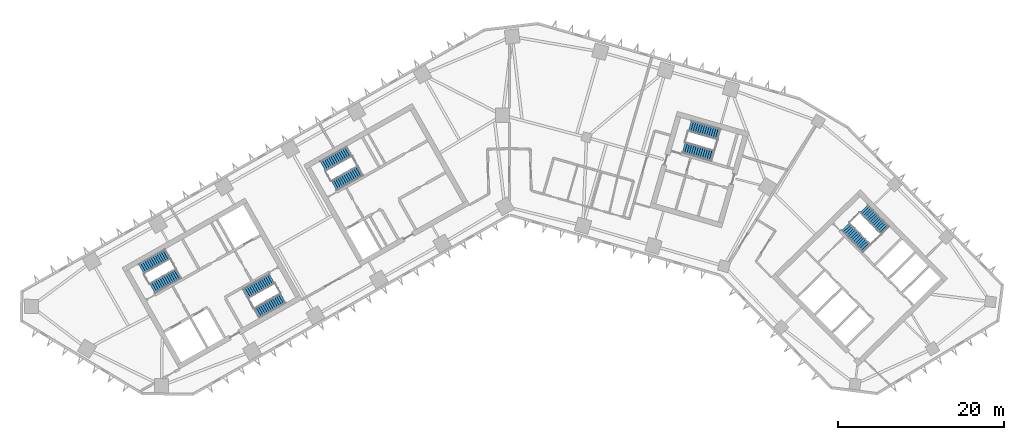
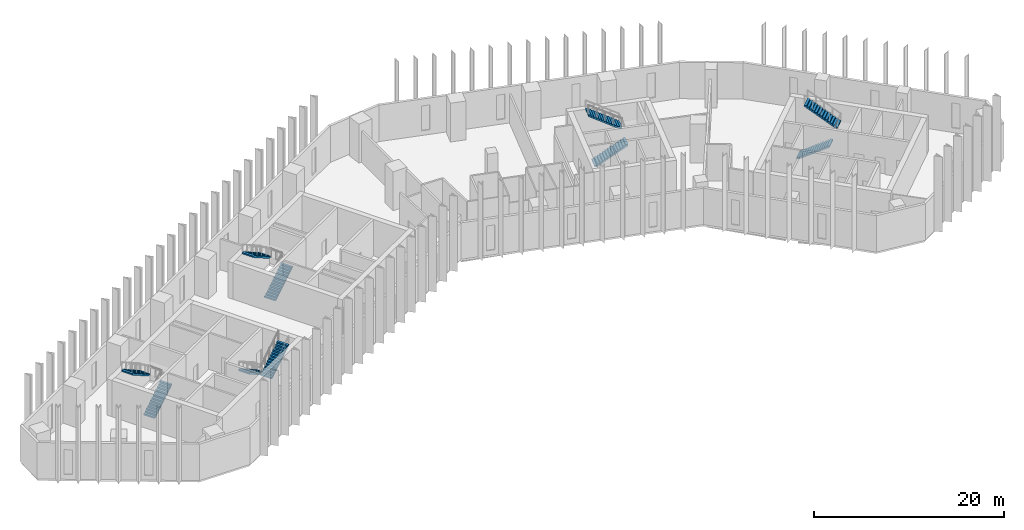
# One storey, part 8 of 11: 10 stair flights, 5 elements without a shape of their own.
"""IFC4 building model written with IfcOpenShell, lengths in metres."""

from ifc_helpers import new_model, si_unit, direction, frame, origin, place, context, subcontext, project, spatial, polyline, outline, extrude, material, type_object, element, aggregate, save


model = new_model("IFC4")

# Units and contexts
model_context = context("Model", 3, precision=1e-05, world=origin(), true_north=direction((0.0, 1.0)))
body_context = subcontext(model_context, "Body", "Model", "MODEL_VIEW")
ifc_project = project(units=[si_unit("LENGTHUNIT", "METRE"), si_unit("AREAUNIT", "SQUARE_METRE"), si_unit("VOLUMEUNIT", "CUBIC_METRE"), si_unit("PLANEANGLEUNIT", "RADIAN"), si_unit("MASSUNIT", "GRAM", prefix="KILO")], contexts=[model_context])

# Site, building, storey
site_placement = place(None, origin())
site = spatial("IfcSite", under=ifc_project, at=site_placement, CompositionType="ELEMENT")
building_placement = place(site_placement, origin())
building = spatial("IfcBuilding", under=site, at=building_placement, Name="Binnacle Exchange Tower", CompositionType="ELEMENT")
storey_placement = place(building_placement, frame((0.0, 0.0, 36.5)))
storey = spatial("IfcBuildingStorey", under=building, at=storey_placement, Name="L07", CompositionType="ELEMENT", Elevation=36.5)

# Stair, stair flights
ifc_material = material(Name="Concrete C35/45", Category="concrete")
stair_type = type_object("IfcStairType", Name="STAIR 28 RISERS 179", PredefinedType="HALF_TURN_STAIR", material=ifc_material)
stair_1_placement = place(storey_placement, origin())
stair_1 = element("IfcStair", 1, at=stair_1_placement, inside=storey, type_object=stair_type, Name="L07 Escape stair A1", PredefinedType="HALF_TURN_STAIR")
stair_flight_type = type_object("IfcStairFlightType", Name="STAIR FLIGHT 179X280", PredefinedType="STRAIGHT", material=ifc_material)
stair_flight_1_placement = place(storey_placement, frame((-42.9541015625, 39.17333984375, 0.0), z_axis=(0.0, 0.0, 1.0), x_axis=(0.870355584213, 0.492423757581, 0.0)))
stair_flight_1 = element("IfcStairFlight", 2, at=stair_flight_1_placement, type_object=stair_flight_type, Name="STA1 flight 1", NumberOfRisers=14, NumberOfTreads=13, PredefinedType="STRAIGHT", RiserHeight=0.178571429, TreadLength=0.28, context=body_context, shape_type="SweptSolid", body=[
    extrude(outline(polyline([(0.0, 0.0), (0.0, 0.178466796875), (0.280029296875, 0.178466796875), (0.280029296875, 0.357177734375), (0.56005859375, 0.357177734375), (0.56005859375, 0.53564453125), (0.840087890625, 0.53564453125), (0.840087890625, 0.71435546875), (1.1201171875, 0.71435546875), (1.1201171875, 0.892822265625), (1.39990234375, 0.892822265625), (1.39990234375, 1.071533203125), (1.679931640625, 1.071533203125), (1.679931640625, 1.25), (1.9599609375, 1.25), (1.9599609375, 1.428466796875), (2.239990234375, 1.428466796875), (2.239990234375, 1.607177734375), (2.52001953125, 1.607177734375), (2.52001953125, 1.78564453125), (2.800048828125, 1.78564453125), (2.800048828125, 1.96435546875), (3.080078125, 1.96435546875), (3.080078125, 2.142822265625), (3.360107421875, 2.142822265625), (3.360107421875, 2.321533203125), (3.639892578125, 2.321533203125), (3.639892578125, 2.5), (3.639892578125, 2.1435546875), (0.27880859375, 0.0), (0.0, 0.0)])), frame((0.0, 0.675048828125, 0.0), z_axis=(0.0, -1.0, 0.0), x_axis=(1.0, 0.0, 0.0)), (0.0, 0.0, 1.0), 1.35009765625),
])
stair_flight_2_placement = place(storey_placement, frame((-41.115478515625, 43.315673828125, 2.5), z_axis=(0.0, 0.0, 1.0), x_axis=(-0.870355584213, -0.492423757581, 0.0)))
stair_flight_2 = element("IfcStairFlight", 3, at=stair_flight_2_placement, type_object=stair_flight_type, Name="STA1 flight 2", NumberOfRisers=14, NumberOfTreads=13, PredefinedType="STRAIGHT", RiserHeight=0.178571429, TreadLength=0.28, context=body_context, shape_type="SweptSolid", body=[
    extrude(outline(polyline([(0.0, 0.0), (0.0, 0.178466796875), (0.280029296875, 0.178466796875), (0.280029296875, 0.357177734375), (0.56005859375, 0.357177734375), (0.56005859375, 0.53564453125), (0.840087890625, 0.53564453125), (0.840087890625, 0.71435546875), (1.1201171875, 0.71435546875), (1.1201171875, 0.892822265625), (1.39990234375, 0.892822265625), (1.39990234375, 1.071533203125), (1.679931640625, 1.071533203125), (1.679931640625, 1.25), (1.9599609375, 1.25), (1.9599609375, 1.428466796875), (2.239990234375, 1.428466796875), (2.239990234375, 1.607177734375), (2.52001953125, 1.607177734375), (2.52001953125, 1.78564453125), (2.800048828125, 1.78564453125), (2.800048828125, 1.96435546875), (3.080078125, 1.96435546875), (3.080078125, 2.142822265625), (3.360107421875, 2.142822265625), (3.360107421875, 2.321533203125), (3.639892578125, 2.321533203125), (3.639892578125, 2.5), (3.639892578125, 2.1435546875), (0.27880859375, 0.0), (0.0, 0.0)])), frame((0.0, 0.675048828125, 0.0), z_axis=(0.0, -1.0, 0.0), x_axis=(1.0, 0.0, 0.0)), (0.0, 0.0, 1.0), 1.35009765625),
])
aggregate(stair_1, [stair_flight_1, stair_flight_2])

stair_2_placement = place(storey_placement, origin())
stair_2 = element("IfcStair", 4, at=stair_2_placement, inside=storey, type_object=stair_type, Name="L07 Escape stair A2", PredefinedType="HALF_TURN_STAIR")
stair_flight_3_placement = place(storey_placement, frame((-28.5732421875, 40.3583984375, 0.0), z_axis=(0.0, 0.0, 1.0), x_axis=(-0.870355584213, -0.492423757581, 0.0)))
stair_flight_3 = element("IfcStairFlight", 5, at=stair_flight_3_placement, type_object=stair_flight_type, Name="STA2 flight 1", NumberOfRisers=14, NumberOfTreads=13, PredefinedType="STRAIGHT", RiserHeight=0.178571429, TreadLength=0.28, context=body_context, shape_type="SweptSolid", body=[
    extrude(outline(polyline([(0.0, 0.0), (0.0, 0.178466796875), (0.280029296875, 0.178466796875), (0.280029296875, 0.357177734375), (0.56005859375, 0.357177734375), (0.56005859375, 0.53564453125), (0.840087890625, 0.53564453125), (0.840087890625, 0.71435546875), (1.1201171875, 0.71435546875), (1.1201171875, 0.892822265625), (1.39990234375, 0.892822265625), (1.39990234375, 1.071533203125), (1.679931640625, 1.071533203125), (1.679931640625, 1.25), (1.9599609375, 1.25), (1.9599609375, 1.428466796875), (2.239990234375, 1.428466796875), (2.239990234375, 1.607177734375), (2.52001953125, 1.607177734375), (2.52001953125, 1.78564453125), (2.800048828125, 1.78564453125), (2.800048828125, 1.96435546875), (3.080078125, 1.96435546875), (3.080078125, 2.142822265625), (3.360107421875, 2.142822265625), (3.360107421875, 2.321533203125), (3.639892578125, 2.321533203125), (3.639892578125, 2.5), (3.639892578125, 2.1435546875), (0.27880859375, 0.0), (0.0, 0.0)])), frame((0.0, 0.675048828125, 0.0), z_axis=(0.0, -1.0, 0.0), x_axis=(1.0, 0.0, 0.0)), (0.0, 0.0, 1.0), 1.35009765625),
])
stair_flight_4_placement = place(storey_placement, frame((-30.411865234375, 36.216064453125, 2.5), z_axis=(0.0, 0.0, 1.0), x_axis=(0.870355584213, 0.492423757581, 0.0)))
stair_flight_4 = element("IfcStairFlight", 6, at=stair_flight_4_placement, type_object=stair_flight_type, Name="STA2 flight 2", NumberOfRisers=14, NumberOfTreads=13, PredefinedType="STRAIGHT", RiserHeight=0.178571429, TreadLength=0.28, context=body_context, shape_type="SweptSolid", body=[
    extrude(outline(polyline([(0.0, 0.0), (0.0, 0.178466796875), (0.280029296875, 0.178466796875), (0.280029296875, 0.357177734375), (0.56005859375, 0.357177734375), (0.56005859375, 0.53564453125), (0.840087890625, 0.53564453125), (0.840087890625, 0.71435546875), (1.1201171875, 0.71435546875), (1.1201171875, 0.892822265625), (1.39990234375, 0.892822265625), (1.39990234375, 1.071533203125), (1.679931640625, 1.071533203125), (1.679931640625, 1.25), (1.9599609375, 1.25), (1.9599609375, 1.428466796875), (2.239990234375, 1.428466796875), (2.239990234375, 1.607177734375), (2.52001953125, 1.607177734375), (2.52001953125, 1.78564453125), (2.800048828125, 1.78564453125), (2.800048828125, 1.96435546875), (3.080078125, 1.96435546875), (3.080078125, 2.142822265625), (3.360107421875, 2.142822265625), (3.360107421875, 2.321533203125), (3.639892578125, 2.321533203125), (3.639892578125, 2.5), (3.639892578125, 2.1435546875), (0.27880859375, 0.0), (0.0, 0.0)])), frame((0.0, 0.675048828125, 0.0), z_axis=(0.0, -1.0, 0.0), x_axis=(1.0, 0.0, 0.0)), (0.0, 0.0, 1.0), 1.35009765625),
])
aggregate(stair_2, [stair_flight_3, stair_flight_4])

stair_3_placement = place(storey_placement, origin())
stair_3 = element("IfcStair", 7, at=stair_3_placement, inside=storey, type_object=stair_type, Name="L07 Escape stair B1", PredefinedType="HALF_TURN_STAIR")
stair_flight_5_placement = place(storey_placement, frame((40.376708984375, 46.608642578125, 0.0), z_axis=(0.0, 0.0, 1.0), x_axis=(0.70090935144, -0.713250363522, 0.0)))
stair_flight_5 = element("IfcStairFlight", 8, at=stair_flight_5_placement, type_object=stair_flight_type, Name="STB1 flight 1", NumberOfRisers=14, NumberOfTreads=13, PredefinedType="STRAIGHT", RiserHeight=0.178571429, TreadLength=0.28, context=body_context, shape_type="SweptSolid", body=[
    extrude(outline(polyline([(0.0, 0.0), (0.0, 0.178466796875), (0.280029296875, 0.178466796875), (0.280029296875, 0.357177734375), (0.56005859375, 0.357177734375), (0.56005859375, 0.53564453125), (0.840087890625, 0.53564453125), (0.840087890625, 0.71435546875), (1.1201171875, 0.71435546875), (1.1201171875, 0.892822265625), (1.39990234375, 0.892822265625), (1.39990234375, 1.071533203125), (1.679931640625, 1.071533203125), (1.679931640625, 1.25), (1.9599609375, 1.25), (1.9599609375, 1.428466796875), (2.239990234375, 1.428466796875), (2.239990234375, 1.607177734375), (2.52001953125, 1.607177734375), (2.52001953125, 1.78564453125), (2.800048828125, 1.78564453125), (2.800048828125, 1.96435546875), (3.080078125, 1.96435546875), (3.080078125, 2.142822265625), (3.360107421875, 2.142822265625), (3.360107421875, 2.321533203125), (3.639892578125, 2.321533203125), (3.639892578125, 2.5), (3.639892578125, 2.1435546875), (0.27880859375, 0.0), (0.0, 0.0)])), frame((0.0, 0.675048828125, 0.0), z_axis=(0.0, -1.0, 0.0), x_axis=(1.0, 0.0, 0.0)), (0.0, 0.0, 1.0), 1.35009765625),
])
stair_flight_6_placement = place(storey_placement, frame((45.13916015625, 46.185302734375, 2.5), z_axis=(0.0, 0.0, 1.0), x_axis=(-0.70090935144, 0.713250363522, 0.0)))
stair_flight_6 = element("IfcStairFlight", 9, at=stair_flight_6_placement, type_object=stair_flight_type, Name="STB1 flight 2", NumberOfRisers=14, NumberOfTreads=13, PredefinedType="STRAIGHT", RiserHeight=0.178571429, TreadLength=0.28, context=body_context, shape_type="SweptSolid", body=[
    extrude(outline(polyline([(0.0, 0.0), (0.0, 0.178466796875), (0.280029296875, 0.178466796875), (0.280029296875, 0.357177734375), (0.56005859375, 0.357177734375), (0.56005859375, 0.53564453125), (0.840087890625, 0.53564453125), (0.840087890625, 0.71435546875), (1.1201171875, 0.71435546875), (1.1201171875, 0.892822265625), (1.39990234375, 0.892822265625), (1.39990234375, 1.071533203125), (1.679931640625, 1.071533203125), (1.679931640625, 1.25), (1.9599609375, 1.25), (1.9599609375, 1.428466796875), (2.239990234375, 1.428466796875), (2.239990234375, 1.607177734375), (2.52001953125, 1.607177734375), (2.52001953125, 1.78564453125), (2.800048828125, 1.78564453125), (2.800048828125, 1.96435546875), (3.080078125, 1.96435546875), (3.080078125, 2.142822265625), (3.360107421875, 2.142822265625), (3.360107421875, 2.321533203125), (3.639892578125, 2.321533203125), (3.639892578125, 2.5), (3.639892578125, 2.1435546875), (0.27880859375, 0.0), (0.0, 0.0)])), frame((0.0, 0.675048828125, 0.0), z_axis=(0.0, -1.0, 0.0), x_axis=(1.0, 0.0, 0.0)), (0.0, 0.0, 1.0), 1.35009765625),
])
aggregate(stair_3, [stair_flight_5, stair_flight_6])

stair_4_placement = place(storey_placement, origin())
stair_4 = element("IfcStair", 10, at=stair_4_placement, inside=storey, type_object=stair_type, Name="L07 Escape stair C1", PredefinedType="HALF_TURN_STAIR")
stair_flight_7_placement = place(storey_placement, frame((-21.115966796875, 51.528564453125, 0.0), z_axis=(0.0, 0.0, 1.0), x_axis=(0.870355584213, 0.492423757581, 0.0)))
stair_flight_7 = element("IfcStairFlight", 11, at=stair_flight_7_placement, type_object=stair_flight_type, Name="STC1 flight 1", NumberOfRisers=14, NumberOfTreads=13, PredefinedType="STRAIGHT", RiserHeight=0.178571429, TreadLength=0.28, context=body_context, shape_type="SweptSolid", body=[
    extrude(outline(polyline([(0.0, 0.0), (0.0, 0.178466796875), (0.280029296875, 0.178466796875), (0.280029296875, 0.357177734375), (0.56005859375, 0.357177734375), (0.56005859375, 0.53564453125), (0.840087890625, 0.53564453125), (0.840087890625, 0.71435546875), (1.1201171875, 0.71435546875), (1.1201171875, 0.892822265625), (1.39990234375, 0.892822265625), (1.39990234375, 1.071533203125), (1.679931640625, 1.071533203125), (1.679931640625, 1.25), (1.9599609375, 1.25), (1.9599609375, 1.428466796875), (2.239990234375, 1.428466796875), (2.239990234375, 1.607177734375), (2.52001953125, 1.607177734375), (2.52001953125, 1.78564453125), (2.800048828125, 1.78564453125), (2.800048828125, 1.96435546875), (3.080078125, 1.96435546875), (3.080078125, 2.142822265625), (3.360107421875, 2.142822265625), (3.360107421875, 2.321533203125), (3.639892578125, 2.321533203125), (3.639892578125, 2.5), (3.639892578125, 2.1435546875), (0.27880859375, 0.0), (0.0, 0.0)])), frame((0.0, 0.675048828125, 0.0), z_axis=(0.0, -1.0, 0.0), x_axis=(1.0, 0.0, 0.0)), (0.0, 0.0, 1.0), 1.35009765625),
])
stair_flight_8_placement = place(storey_placement, frame((-19.27734375, 55.671142578125, 2.5), z_axis=(0.0, 0.0, 1.0), x_axis=(-0.870355584213, -0.492423757581, 0.0)))
stair_flight_8 = element("IfcStairFlight", 12, at=stair_flight_8_placement, type_object=stair_flight_type, Name="STC1 flight 2", NumberOfRisers=14, NumberOfTreads=13, PredefinedType="STRAIGHT", RiserHeight=0.178571429, TreadLength=0.28, context=body_context, shape_type="SweptSolid", body=[
    extrude(outline(polyline([(0.0, 0.0), (0.0, 0.178466796875), (0.280029296875, 0.178466796875), (0.280029296875, 0.357177734375), (0.56005859375, 0.357177734375), (0.56005859375, 0.53564453125), (0.840087890625, 0.53564453125), (0.840087890625, 0.71435546875), (1.1201171875, 0.71435546875), (1.1201171875, 0.892822265625), (1.39990234375, 0.892822265625), (1.39990234375, 1.071533203125), (1.679931640625, 1.071533203125), (1.679931640625, 1.25), (1.9599609375, 1.25), (1.9599609375, 1.428466796875), (2.239990234375, 1.428466796875), (2.239990234375, 1.607177734375), (2.52001953125, 1.607177734375), (2.52001953125, 1.78564453125), (2.800048828125, 1.78564453125), (2.800048828125, 1.96435546875), (3.080078125, 1.96435546875), (3.080078125, 2.142822265625), (3.360107421875, 2.142822265625), (3.360107421875, 2.321533203125), (3.639892578125, 2.321533203125), (3.639892578125, 2.5), (3.639892578125, 2.1435546875), (0.27880859375, 0.0), (0.0, 0.0)])), frame((0.0, 0.675048828125, 0.0), z_axis=(0.0, -1.0, 0.0), x_axis=(1.0, 0.0, 0.0)), (0.0, 0.0, 1.0), 1.35009765625),
])
aggregate(stair_4, [stair_flight_7, stair_flight_8])

stair_5_placement = place(storey_placement, origin())
stair_5 = element("IfcStair", 13, at=stair_5_placement, inside=storey, type_object=stair_type, Name="L07 Escape stair D1", PredefinedType="HALF_TURN_STAIR")
stair_flight_9_placement = place(storey_placement, frame((20.914306640625, 56.109619140625, 0.0), z_axis=(0.0, 0.0, 1.0), x_axis=(0.961261811397, -0.275636953165, 0.0)))
stair_flight_9 = element("IfcStairFlight", 14, at=stair_flight_9_placement, type_object=stair_flight_type, Name="STD1 flight 1", NumberOfRisers=14, NumberOfTreads=13, PredefinedType="STRAIGHT", RiserHeight=0.178571429, TreadLength=0.28, context=body_context, shape_type="SweptSolid", body=[
    extrude(outline(polyline([(0.0, 0.0), (0.0, 0.178466796875), (0.280029296875, 0.178466796875), (0.280029296875, 0.357177734375), (0.56005859375, 0.357177734375), (0.56005859375, 0.53564453125), (0.840087890625, 0.53564453125), (0.840087890625, 0.71435546875), (1.1201171875, 0.71435546875), (1.1201171875, 0.892822265625), (1.39990234375, 0.892822265625), (1.39990234375, 1.071533203125), (1.679931640625, 1.071533203125), (1.679931640625, 1.25), (1.9599609375, 1.25), (1.9599609375, 1.428466796875), (2.239990234375, 1.428466796875), (2.239990234375, 1.607177734375), (2.52001953125, 1.607177734375), (2.52001953125, 1.78564453125), (2.800048828125, 1.78564453125), (2.800048828125, 1.96435546875), (3.080078125, 1.96435546875), (3.080078125, 2.142822265625), (3.360107421875, 2.142822265625), (3.360107421875, 2.321533203125), (3.639892578125, 2.321533203125), (3.639892578125, 2.5), (3.639892578125, 2.1435546875), (0.27880859375, 0.0), (0.0, 0.0)])), frame((0.0, 0.675048828125, 0.0), z_axis=(0.0, -1.0, 0.0), x_axis=(1.0, 0.0, 0.0)), (0.0, 0.0, 1.0), 1.35009765625),
])
stair_flight_10_placement = place(storey_placement, frame((25.157470703125, 57.70166015625, 2.5), z_axis=(0.0, 0.0, 1.0), x_axis=(-0.961261811397, 0.275636953165, 0.0)))
stair_flight_10 = element("IfcStairFlight", 15, at=stair_flight_10_placement, type_object=stair_flight_type, Name="STD1 flight 2", NumberOfRisers=14, NumberOfTreads=13, PredefinedType="STRAIGHT", RiserHeight=0.178571429, TreadLength=0.28, context=body_context, shape_type="SweptSolid", body=[
    extrude(outline(polyline([(0.0, 0.0), (0.0, 0.178466796875), (0.280029296875, 0.178466796875), (0.280029296875, 0.357177734375), (0.56005859375, 0.357177734375), (0.56005859375, 0.53564453125), (0.840087890625, 0.53564453125), (0.840087890625, 0.71435546875), (1.1201171875, 0.71435546875), (1.1201171875, 0.892822265625), (1.39990234375, 0.892822265625), (1.39990234375, 1.071533203125), (1.679931640625, 1.071533203125), (1.679931640625, 1.25), (1.9599609375, 1.25), (1.9599609375, 1.428466796875), (2.239990234375, 1.428466796875), (2.239990234375, 1.607177734375), (2.52001953125, 1.607177734375), (2.52001953125, 1.78564453125), (2.800048828125, 1.78564453125), (2.800048828125, 1.96435546875), (3.080078125, 1.96435546875), (3.080078125, 2.142822265625), (3.360107421875, 2.142822265625), (3.360107421875, 2.321533203125), (3.639892578125, 2.321533203125), (3.639892578125, 2.5), (3.639892578125, 2.1435546875), (0.27880859375, 0.0), (0.0, 0.0)])), frame((0.0, 0.675048828125, 0.0), z_axis=(0.0, -1.0, 0.0), x_axis=(1.0, 0.0, 0.0)), (0.0, 0.0, 1.0), 1.35009765625),
])
aggregate(stair_5, [stair_flight_9, stair_flight_10])

save(model, "model.ifc")
